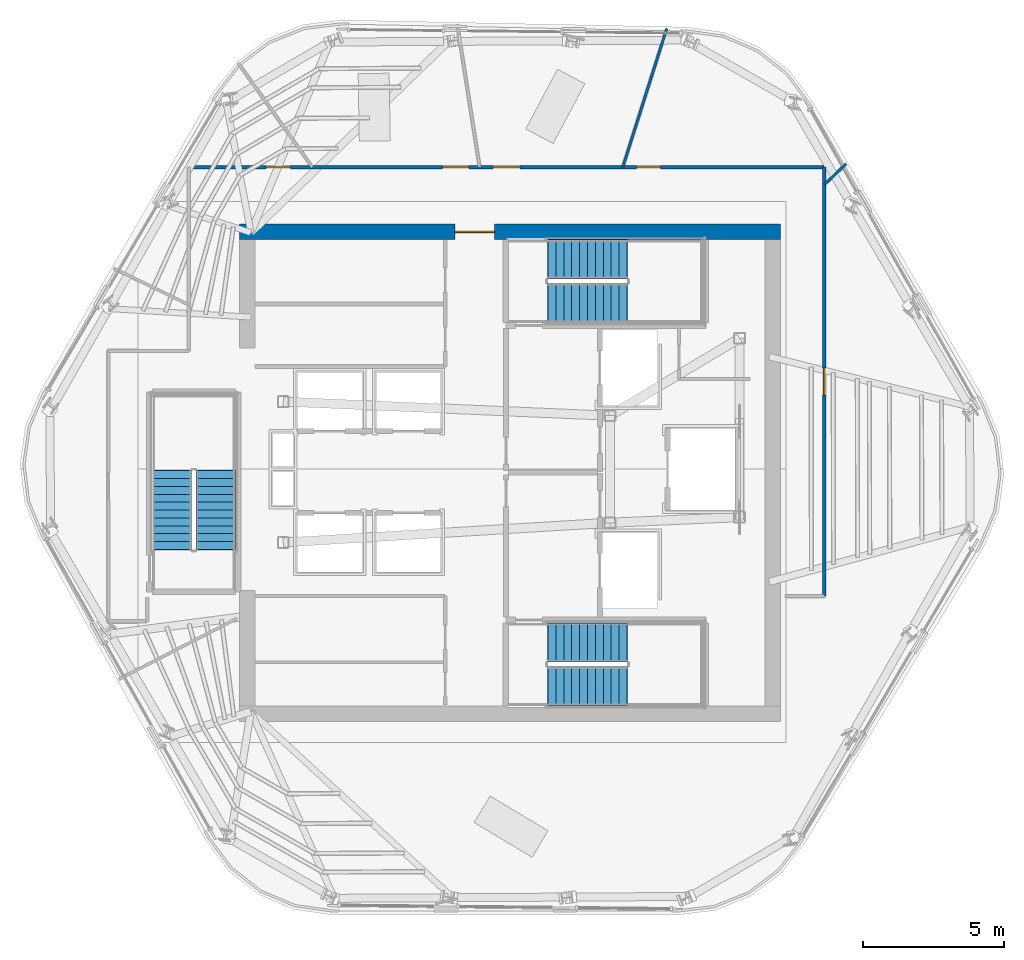
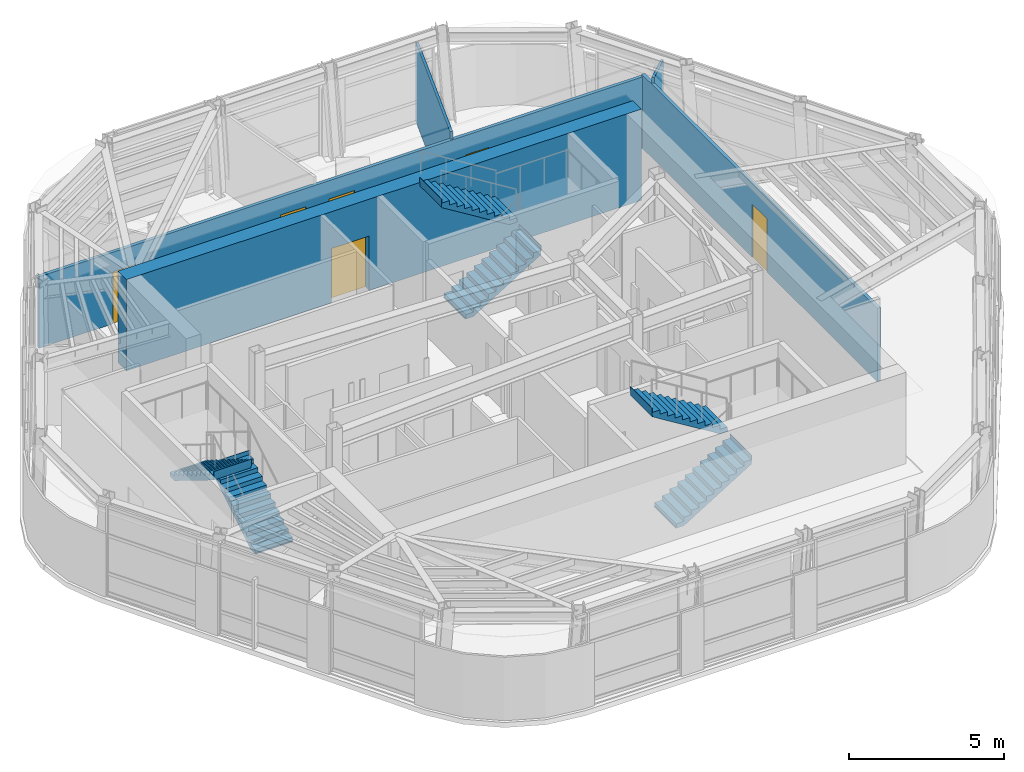
# One storey, part 8 of 13: 6 doors, 6 stair flights, 5 walls, 6 openings, 3 elements without a shape of their own.
"""IFC4 building model written with IfcOpenShell, lengths in metres."""

from ifc_helpers import new_model, si_unit, direction, frame, frame_2d, origin, place, context, subcontext, project, spatial, polyline, rectangle, outline, extrude, material, layer, layer_set, type_object, element, fill, aggregate, save


model = new_model("IFC4")

# Units and contexts
model_context = context("Model", 3, precision=1e-05, world=origin(), true_north=direction((0.0, 1.0)))
body_context = subcontext(model_context, "Body", "Model", "MODEL_VIEW")
ifc_project = project(units=[si_unit("LENGTHUNIT", "METRE"), si_unit("AREAUNIT", "SQUARE_METRE"), si_unit("VOLUMEUNIT", "CUBIC_METRE"), si_unit("PLANEANGLEUNIT", "RADIAN"), si_unit("MASSUNIT", "GRAM", prefix="KILO")], contexts=[model_context])

# Site, building, storey
site_placement = place(None, origin())
site = spatial("IfcSite", under=ifc_project, at=site_placement, CompositionType="ELEMENT")
building_placement = place(site_placement, origin())
building = spatial("IfcBuilding", under=site, at=building_placement, Name="Valkerne Bourse Tower", CompositionType="ELEMENT")
storey_placement = place(building_placement, frame((0.0, 0.0, 281.199951171875)))
storey = spatial("IfcBuildingStorey", under=building, at=storey_placement, Name="L71", CompositionType="ELEMENT", Elevation=281.199951171875)

# Wall, opening, door
ifc_material_1 = material(Name="Concrete C55/67", Category="concrete")
ifc_layer_1 = layer(ifc_material_1, 0.550048828125)
ifc_layer_set_1 = layer_set([ifc_layer_1], Name="Concrete C55/67")
wall_type_1 = type_object("IfcWallType", Name="W-CORE-550", PredefinedType="SHEAR", material=ifc_layer_set_1)
wall_1_placement = place(storey_placement, frame((37.199951171875, 35.425048828125, 0.0), z_axis=(0.0, 0.0, 1.0), x_axis=(1.0, 0.0, 0.0)))
wall_1 = element("IfcWall", 1, at=wall_1_placement, inside=storey, type_object=wall_type_1, Name="L71 Core Shear Wall NORTH", PredefinedType="SHEAR", context=body_context, shape_type="SweptSolid", body=[
    extrude(rectangle(XDim=19.199951171875, YDim=0.550048828125, at=frame_2d((9.60009765625, 0.0))), origin(), (0.0, 0.0, 1.0), 3.60009765625),
])
opening_1_placement = place(wall_1_placement, frame((7.64990234375, 0.0, 0.0)))
opening_1 = element("IfcOpeningElement", 2, at=opening_1_placement, cuts=wall_1, Name="Opening D-PL-1400", PredefinedType="OPENING", context=body_context, shape_type="SweptSolid", body=[
    extrude(rectangle(XDim=1.39990234375, YDim=2.14990234375, at=frame_2d((0.699951171875, 1.074951171875))), frame((0.0, 0.284912109375, 0.0), z_axis=(0.0, -1.0, 0.0), x_axis=(1.0, 0.0, 0.0)), (0.0, 0.0, 1.0), 0.570068359375),
])
ifc_material_2 = material(Name="Galvanised Painted Steel", Category="steel")
door_type_1 = type_object("IfcDoorType", Name="DR-PLT-1400", OperationType="DOUBLE_DOOR_SINGLE_SWING", PredefinedType="DOOR", material=ifc_material_2)
door_1_placement = place(opening_1_placement, origin())
door_1 = element("IfcDoor", 3, at=door_1_placement, inside=storey, type_object=door_type_1, Name="L71 North Passenger Lift Hall Fire Door", OperationType="DOUBLE_DOOR_SINGLE_SWING", OverallHeight=2.14990234375, OverallWidth=1.39990234375, PredefinedType="DOOR", context=body_context, shape_type="SweptSolid", body=[
    extrude(rectangle(XDim=1.39990234375, YDim=2.14990234375, at=frame_2d((0.699951171875, 1.074951171875))), frame((0.0, 0.02490234375, 0.0), z_axis=(0.0, -1.0, 0.0), x_axis=(1.0, 0.0, 0.0)), (0.0, 0.0, 1.0), 0.050048828125),
])
fill(opening_1, door_1)

# Wall, openings, doors
ifc_material_3 = material(Name="Gypsum Board Steel-Stud Partition", Category="steel")
ifc_layer_2 = layer(ifc_material_3, 0.117919921875)
ifc_layer_set_2 = layer_set([ifc_layer_2], Name="Gypsum Board Steel-Stud Partition")
wall_type_2 = type_object("IfcWallType", Name="W-CORR-140", PredefinedType="PARTITIONING", material=ifc_layer_set_2)
wall_2_placement = place(storey_placement, frame((35.39990234375, 37.719970703125, 0.0), z_axis=(0.0, 0.0, 1.0), x_axis=(1.0, 0.0, 0.0)))
wall_2 = element("IfcWall", 4, at=wall_2_placement, inside=storey, type_object=wall_type_2, Name="L71 Corridor Enclosure Wall", PredefinedType="PARTITIONING", context=body_context, shape_type="SweptSolid", body=[
    extrude(rectangle(XDim=22.550048828125, YDim=0.117919921875, at=frame_2d((11.27490234375, 0.0))), origin(), (0.0, 0.0, 1.0), 2.820556640625),
])
opening_2_placement = place(wall_2_placement, frame((2.7451171875, 0.0, 0.0)))
opening_2 = element("IfcOpeningElement", 5, at=opening_2_placement, cuts=wall_2, Name="Opening D-WC-900", PredefinedType="OPENING", context=body_context, shape_type="SweptSolid", body=[
    extrude(rectangle(XDim=0.860107421875, YDim=2.050048828125, at=frame_2d((0.43017578125, 1.02490234375))), frame((0.0, 0.06884765625, 0.0), z_axis=(0.0, -1.0, 0.0), x_axis=(1.0, 0.0, 0.0)), (0.0, 0.0, 1.0), 0.137939453125),
])
opening_3_placement = place(wall_2_placement, frame((15.885009765625, 0.0, 0.0)))
opening_3 = element("IfcOpeningElement", 6, at=opening_3_placement, cuts=wall_2, Name="Opening D-WC-900", PredefinedType="OPENING", context=body_context, shape_type="SweptSolid", body=[
    extrude(rectangle(XDim=0.860107421875, YDim=2.050048828125, at=frame_2d((0.43017578125, 1.02490234375))), frame((0.0, 0.06884765625, 0.0), z_axis=(0.0, -1.0, 0.0), x_axis=(1.0, 0.0, 0.0)), (0.0, 0.0, 1.0), 0.137939453125),
])
opening_4_placement = place(wall_2_placement, frame((10.800048828125, 0.0, 0.0)))
opening_4 = element("IfcOpeningElement", 7, at=opening_4_placement, cuts=wall_2, Name="Opening D-OF-950", PredefinedType="OPENING", context=body_context, shape_type="SweptSolid", body=[
    extrude(rectangle(XDim=0.949951171875, YDim=2.10009765625, at=frame_2d((0.47509765625, 1.050048828125))), frame((0.0, 0.06884765625, 0.0), z_axis=(0.0, -1.0, 0.0), x_axis=(1.0, 0.0, 0.0)), (0.0, 0.0, 1.0), 0.137939453125),
])
opening_5_placement = place(wall_2_placement, frame((9.0, 0.0, 0.0)))
opening_5 = element("IfcOpeningElement", 8, at=opening_5_placement, cuts=wall_2, Name="Opening D-OF-950", PredefinedType="OPENING", context=body_context, shape_type="SweptSolid", body=[
    extrude(rectangle(XDim=0.949951171875, YDim=2.10009765625, at=frame_2d((0.47509765625, 1.050048828125))), frame((0.0, 0.06884765625, 0.0), z_axis=(0.0, -1.0, 0.0), x_axis=(1.0, 0.0, 0.0)), (0.0, 0.0, 1.0), 0.137939453125),
])
ifc_material_4 = material(Name="Architectural White Oak Timber", Category="wood")
door_type_2 = type_object("IfcDoorType", Name="DR-OFF-950", OperationType="NOTDEFINED", PredefinedType="DOOR", material=ifc_material_4)
door_2_placement = place(opening_4_placement, origin())
door_2 = element("IfcDoor", 9, at=door_2_placement, inside=storey, type_object=door_type_2, Name="L71 L71 Trading Desk Office 3 Door", OperationType="SINGLE_SWING_RIGHT", OverallHeight=2.10009765625, OverallWidth=0.949951171875, PredefinedType="DOOR", context=body_context, shape_type="SweptSolid", body=[
    extrude(rectangle(XDim=0.949951171875, YDim=2.10009765625, at=frame_2d((0.47509765625, 1.050048828125))), frame((0.0, 0.02490234375, 0.0), z_axis=(0.0, -1.0, 0.0), x_axis=(1.0, 0.0, 0.0)), (0.0, 0.0, 1.0), 0.050048828125),
])
fill(opening_4, door_2)
door_3_placement = place(opening_5_placement, origin())
door_3 = element("IfcDoor", 10, at=door_3_placement, inside=storey, type_object=door_type_2, Name="L71 L71 Trading Desk Office 4 Door", OperationType="SINGLE_SWING_RIGHT", OverallHeight=2.10009765625, OverallWidth=0.949951171875, PredefinedType="DOOR", context=body_context, shape_type="SweptSolid", body=[
    extrude(rectangle(XDim=0.949951171875, YDim=2.10009765625, at=frame_2d((0.47509765625, 1.050048828125))), frame((0.0, 0.02490234375, 0.0), z_axis=(0.0, -1.0, 0.0), x_axis=(1.0, 0.0, 0.0)), (0.0, 0.0, 1.0), 0.050048828125),
])
fill(opening_5, door_3)
door_type_3 = type_object("IfcDoorType", Name="DR-WC-900", OperationType="NOTDEFINED", PredefinedType="DOOR", material=ifc_material_4)
door_4_placement = place(opening_2_placement, origin())
door_4 = element("IfcDoor", 11, at=door_4_placement, inside=storey, type_object=door_type_3, Name="L71 L71 Men Bathroom WC 1 Door", OperationType="SINGLE_SWING_LEFT", OverallHeight=2.050048828125, OverallWidth=0.860107421875, PredefinedType="DOOR", context=body_context, shape_type="SweptSolid", body=[
    extrude(rectangle(XDim=0.860107421875, YDim=2.050048828125, at=frame_2d((0.43017578125, 1.02490234375))), frame((0.0, 0.02490234375, 0.0), z_axis=(0.0, -1.0, 0.0), x_axis=(1.0, 0.0, 0.0)), (0.0, 0.0, 1.0), 0.050048828125),
])
fill(opening_2, door_4)
door_5_placement = place(opening_3_placement, origin())
door_5 = element("IfcDoor", 12, at=door_5_placement, inside=storey, type_object=door_type_3, Name="L71 L71 Women Restroom & Shower WC 2 Door", OperationType="SINGLE_SWING_RIGHT", OverallHeight=2.050048828125, OverallWidth=0.860107421875, PredefinedType="DOOR", context=body_context, shape_type="SweptSolid", body=[
    extrude(rectangle(XDim=0.860107421875, YDim=2.050048828125, at=frame_2d((0.43017578125, 1.02490234375))), frame((0.0, 0.02490234375, 0.0), z_axis=(0.0, -1.0, 0.0), x_axis=(1.0, 0.0, 0.0)), (0.0, 0.0, 1.0), 0.050048828125),
])
fill(opening_3, door_5)

# Wall, opening, door
wall_3_placement = place(storey_placement, frame((57.949951171875, 37.719970703125, 0.0), z_axis=(0.0, 0.0, 1.0), x_axis=(0.0, -1.0, 0.0)))
wall_3 = element("IfcWall", 13, at=wall_3_placement, inside=storey, type_object=wall_type_2, Name="L71 Corridor Enclosure Wall", PredefinedType="PARTITIONING", context=body_context, shape_type="SweptSolid", body=[
    extrude(rectangle(XDim=15.219970703125, YDim=0.117919921875, at=frame_2d((7.60986328125, 0.0))), origin(), (0.0, 0.0, 1.0), 2.896728515625),
])
opening_6_placement = place(wall_3_placement, frame((7.135009765625, 0.0, 0.0)))
opening_6 = element("IfcOpeningElement", 14, at=opening_6_placement, cuts=wall_3, Name="Opening D-OF-950", PredefinedType="OPENING", context=body_context, shape_type="SweptSolid", body=[
    extrude(rectangle(XDim=0.949951171875, YDim=2.10009765625, at=frame_2d((0.47509765625, 1.050048828125))), frame((0.0, 0.06884765625, 0.0), z_axis=(0.0, -1.0, 0.0), x_axis=(1.0, 0.0, 0.0)), (0.0, 0.0, 1.0), 0.137939453125),
])
door_6_placement = place(opening_6_placement, origin())
door_6 = element("IfcDoor", 15, at=door_6_placement, inside=storey, type_object=door_type_2, Name="L71 L71 Commodities Market Showroom 6 Door", OperationType="SINGLE_SWING_RIGHT", OverallHeight=2.10009765625, OverallWidth=0.949951171875, PredefinedType="DOOR", context=body_context, shape_type="SweptSolid", body=[
    extrude(rectangle(XDim=0.949951171875, YDim=2.10009765625, at=frame_2d((0.47509765625, 1.050048828125))), frame((0.0, 0.02490234375, 0.0), z_axis=(0.0, -1.0, 0.0), x_axis=(1.0, 0.0, 0.0)), (0.0, 0.0, 1.0), 0.050048828125),
])
fill(opening_6, door_6)

# Walls
ifc_layer_3 = layer(ifc_material_3, 0.092041015625)
ifc_layer_set_3 = layer_set([ifc_layer_3], Name="Gypsum Board Steel-Stud Partition")
wall_type_3 = type_object("IfcWallType", Name="W-PART-115", PredefinedType="PARTITIONING", material=ifc_layer_set_3)
wall_4_placement = place(storey_placement, frame((50.80224609375, 37.72509765625, 0.0), z_axis=(0.0, 0.0, 1.0), x_axis=(0.302390730743, 0.953184056707, 0.0)))
element("IfcWall", 16, at=wall_4_placement, inside=storey, type_object=wall_type_3, Name="L71 Suite Partition P01", PredefinedType="PARTITIONING", context=body_context, shape_type="SweptSolid", body=[
    extrude(rectangle(XDim=5.157470703125, YDim=0.092041015625, at=frame_2d((2.57861328125, 0.0))), origin(), (0.0, 0.0, 1.0), 3.114990234375),
])
wall_5_placement = place(storey_placement, frame((57.955078125, 37.0986328125, 0.0), z_axis=(0.0, 0.0, 1.0), x_axis=(0.722503638651, 0.691367118206, 0.0)))
element("IfcWall", 17, at=wall_5_placement, inside=storey, type_object=wall_type_3, Name="L71 Suite Partition P06", PredefinedType="PARTITIONING", context=body_context, shape_type="SweptSolid", body=[
    extrude(rectangle(XDim=1.07421875, YDim=0.092041015625, at=frame_2d((0.537109375, 0.0))), origin(), (0.0, 0.0, 1.0), 3.114990234375),
])

# Stair, stair flights
ifc_material_5 = material(Name="Concrete C40/50", Category="concrete")
stair_type = type_object("IfcStairType", Name="ST-CORE-1400", PredefinedType="HALF_TURN_STAIR", material=ifc_material_5)
stair_1_placement = place(storey_placement, origin())
stair_1 = element("IfcStair", 18, at=stair_1_placement, inside=storey, type_object=stair_type, Name="L71 ST-1", PredefinedType="HALF_TURN_STAIR")
stair_flight_type = type_object("IfcStairFlightType", Name="STF-CORE-1400", PredefinedType="STRAIGHT", material=ifc_material_5)
stair_flight_1_placement = place(storey_placement, frame((48.14990234375, 19.300048828125, 0.0), z_axis=(0.0, 0.0, 1.0), x_axis=(1.0, 0.0, 0.0)))
stair_flight_1 = element("IfcStairFlight", 19, at=stair_flight_1_placement, type_object=stair_flight_type, Name="ST-1 flight 1", NumberOfRisers=11, NumberOfTreads=10, PredefinedType="STRAIGHT", RiserHeight=0.172727273, TreadLength=0.28, context=body_context, shape_type="SweptSolid", body=[
    extrude(outline(polyline([(-0.02001953125, 0.0), (-0.02001953125, 0.044921875), (0.0, 0.044921875), (0.0, 0.172607421875), (0.280029296875, 0.172607421875), (0.280029296875, 0.345458984375), (0.56005859375, 0.345458984375), (0.56005859375, 0.51806640625), (0.840087890625, 0.51806640625), (0.840087890625, 0.69091796875), (1.1201171875, 0.69091796875), (1.1201171875, 0.863525390625), (1.39990234375, 0.863525390625), (1.39990234375, 1.036376953125), (1.679931640625, 1.036376953125), (1.679931640625, 1.208984375), (1.9599609375, 1.208984375), (1.9599609375, 1.3818359375), (2.239990234375, 1.3818359375), (2.239990234375, 1.554443359375), (2.52001953125, 1.554443359375), (2.52001953125, 1.727294921875), (2.800048828125, 1.727294921875), (2.800048828125, 1.89990234375), (2.820068359375, 1.89990234375), (2.820068359375, 1.780029296875), (2.800048828125, 1.551025390625), (0.285400390625, 0.0), (-0.02001953125, 0.0)])), frame((0.0, 0.699951171875, 0.0), z_axis=(0.0, -1.0, 0.0), x_axis=(1.0, 0.0, 0.0)), (0.0, 0.0, 1.0), 1.39990234375),
])
stair_flight_2_placement = place(storey_placement, frame((50.949951171875, 20.85009765625, 1.900146484375), z_axis=(0.0, 0.0, 1.0), x_axis=(-1.0, 0.0, 0.0)))
stair_flight_2 = element("IfcStairFlight", 20, at=stair_flight_2_placement, type_object=stair_flight_type, Name="ST-1 flight 2", NumberOfRisers=11, NumberOfTreads=10, PredefinedType="STRAIGHT", RiserHeight=0.172727273, TreadLength=0.28, context=body_context, shape_type="SweptSolid", body=[
    extrude(outline(polyline([(-0.02001953125, 0.0), (-0.02001953125, 0.044921875), (0.0, 0.044921875), (0.0, 0.172607421875), (0.280029296875, 0.172607421875), (0.280029296875, 0.345458984375), (0.56005859375, 0.345458984375), (0.56005859375, 0.51806640625), (0.840087890625, 0.51806640625), (0.840087890625, 0.69091796875), (1.1201171875, 0.69091796875), (1.1201171875, 0.863525390625), (1.39990234375, 0.863525390625), (1.39990234375, 1.036376953125), (1.679931640625, 1.036376953125), (1.679931640625, 1.208984375), (1.9599609375, 1.208984375), (1.9599609375, 1.3818359375), (2.239990234375, 1.3818359375), (2.239990234375, 1.554443359375), (2.52001953125, 1.554443359375), (2.52001953125, 1.727294921875), (2.800048828125, 1.727294921875), (2.800048828125, 1.89990234375), (2.820068359375, 1.89990234375), (2.820068359375, 1.780029296875), (2.800048828125, 1.551025390625), (0.285400390625, 0.0), (-0.02001953125, 0.0)])), frame((0.0, 0.699951171875, 0.0), z_axis=(0.0, -1.0, 0.0), x_axis=(1.0, 0.0, 0.0)), (0.0, 0.0, 1.0), 1.39990234375),
])
aggregate(stair_1, [stair_flight_1, stair_flight_2])

stair_2_placement = place(storey_placement, origin())
stair_2 = element("IfcStair", 21, at=stair_2_placement, inside=storey, type_object=stair_type, Name="L71 ST-2", PredefinedType="HALF_TURN_STAIR")
stair_flight_3_placement = place(storey_placement, frame((48.14990234375, 32.89990234375, 0.0), z_axis=(0.0, 0.0, 1.0), x_axis=(1.0, 0.0, 0.0)))
stair_flight_3 = element("IfcStairFlight", 22, at=stair_flight_3_placement, type_object=stair_flight_type, Name="ST-2 flight 1", NumberOfRisers=11, NumberOfTreads=10, PredefinedType="STRAIGHT", RiserHeight=0.172727273, TreadLength=0.28, context=body_context, shape_type="SweptSolid", body=[
    extrude(outline(polyline([(-0.02001953125, 0.0), (-0.02001953125, 0.044921875), (0.0, 0.044921875), (0.0, 0.172607421875), (0.280029296875, 0.172607421875), (0.280029296875, 0.345458984375), (0.56005859375, 0.345458984375), (0.56005859375, 0.51806640625), (0.840087890625, 0.51806640625), (0.840087890625, 0.69091796875), (1.1201171875, 0.69091796875), (1.1201171875, 0.863525390625), (1.39990234375, 0.863525390625), (1.39990234375, 1.036376953125), (1.679931640625, 1.036376953125), (1.679931640625, 1.208984375), (1.9599609375, 1.208984375), (1.9599609375, 1.3818359375), (2.239990234375, 1.3818359375), (2.239990234375, 1.554443359375), (2.52001953125, 1.554443359375), (2.52001953125, 1.727294921875), (2.800048828125, 1.727294921875), (2.800048828125, 1.89990234375), (2.820068359375, 1.89990234375), (2.820068359375, 1.780029296875), (2.800048828125, 1.551025390625), (0.285400390625, 0.0), (-0.02001953125, 0.0)])), frame((0.0, 0.699951171875, 0.0), z_axis=(0.0, -1.0, 0.0), x_axis=(1.0, 0.0, 0.0)), (0.0, 0.0, 1.0), 1.39990234375),
])
stair_flight_4_placement = place(storey_placement, frame((50.949951171875, 34.449951171875, 1.900146484375), z_axis=(0.0, 0.0, 1.0), x_axis=(-1.0, 0.0, 0.0)))
stair_flight_4 = element("IfcStairFlight", 23, at=stair_flight_4_placement, type_object=stair_flight_type, Name="ST-2 flight 2", NumberOfRisers=11, NumberOfTreads=10, PredefinedType="STRAIGHT", RiserHeight=0.172727273, TreadLength=0.28, context=body_context, shape_type="SweptSolid", body=[
    extrude(outline(polyline([(-0.02001953125, 0.0), (-0.02001953125, 0.044921875), (0.0, 0.044921875), (0.0, 0.172607421875), (0.280029296875, 0.172607421875), (0.280029296875, 0.345458984375), (0.56005859375, 0.345458984375), (0.56005859375, 0.51806640625), (0.840087890625, 0.51806640625), (0.840087890625, 0.69091796875), (1.1201171875, 0.69091796875), (1.1201171875, 0.863525390625), (1.39990234375, 0.863525390625), (1.39990234375, 1.036376953125), (1.679931640625, 1.036376953125), (1.679931640625, 1.208984375), (1.9599609375, 1.208984375), (1.9599609375, 1.3818359375), (2.239990234375, 1.3818359375), (2.239990234375, 1.554443359375), (2.52001953125, 1.554443359375), (2.52001953125, 1.727294921875), (2.800048828125, 1.727294921875), (2.800048828125, 1.89990234375), (2.820068359375, 1.89990234375), (2.820068359375, 1.780029296875), (2.800048828125, 1.551025390625), (0.285400390625, 0.0), (-0.02001953125, 0.0)])), frame((0.0, 0.699951171875, 0.0), z_axis=(0.0, -1.0, 0.0), x_axis=(1.0, 0.0, 0.0)), (0.0, 0.0, 1.0), 1.39990234375),
])
aggregate(stair_2, [stair_flight_3, stair_flight_4])

stair_3_placement = place(storey_placement, origin())
stair_3 = element("IfcStair", 24, at=stair_3_placement, inside=storey, type_object=stair_type, Name="L71 ST-3", PredefinedType="HALF_TURN_STAIR")
stair_flight_5_placement = place(storey_placement, frame((36.35009765625, 24.14990234375, 0.0), z_axis=(0.0, 0.0, 1.0), x_axis=(0.0, 1.0, 0.0)))
stair_flight_5 = element("IfcStairFlight", 25, at=stair_flight_5_placement, type_object=stair_flight_type, Name="ST-3 flight 1", NumberOfRisers=11, NumberOfTreads=10, PredefinedType="STRAIGHT", RiserHeight=0.172727273, TreadLength=0.28, context=body_context, shape_type="SweptSolid", body=[
    extrude(outline(polyline([(-0.02001953125, 0.0), (-0.02001953125, 0.044921875), (0.0, 0.044921875), (0.0, 0.172607421875), (0.280029296875, 0.172607421875), (0.280029296875, 0.345458984375), (0.56005859375, 0.345458984375), (0.56005859375, 0.51806640625), (0.840087890625, 0.51806640625), (0.840087890625, 0.69091796875), (1.1201171875, 0.69091796875), (1.1201171875, 0.863525390625), (1.39990234375, 0.863525390625), (1.39990234375, 1.036376953125), (1.679931640625, 1.036376953125), (1.679931640625, 1.208984375), (1.9599609375, 1.208984375), (1.9599609375, 1.3818359375), (2.239990234375, 1.3818359375), (2.239990234375, 1.554443359375), (2.52001953125, 1.554443359375), (2.52001953125, 1.727294921875), (2.800048828125, 1.727294921875), (2.800048828125, 1.89990234375), (2.820068359375, 1.89990234375), (2.820068359375, 1.780029296875), (2.800048828125, 1.551025390625), (0.285400390625, 0.0), (-0.02001953125, 0.0)])), frame((0.0, 0.699951171875, 0.0), z_axis=(0.0, -1.0, 0.0), x_axis=(1.0, 0.0, 0.0)), (0.0, 0.0, 1.0), 1.39990234375),
])
stair_flight_6_placement = place(storey_placement, frame((34.800048828125, 26.949951171875, 1.900146484375), z_axis=(0.0, 0.0, 1.0), x_axis=(0.0, -1.0, 0.0)))
stair_flight_6 = element("IfcStairFlight", 26, at=stair_flight_6_placement, type_object=stair_flight_type, Name="ST-3 flight 2", NumberOfRisers=11, NumberOfTreads=10, PredefinedType="STRAIGHT", RiserHeight=0.172727273, TreadLength=0.28, context=body_context, shape_type="SweptSolid", body=[
    extrude(outline(polyline([(-0.02001953125, 0.0), (-0.02001953125, 0.044921875), (0.0, 0.044921875), (0.0, 0.172607421875), (0.280029296875, 0.172607421875), (0.280029296875, 0.345458984375), (0.56005859375, 0.345458984375), (0.56005859375, 0.51806640625), (0.840087890625, 0.51806640625), (0.840087890625, 0.69091796875), (1.1201171875, 0.69091796875), (1.1201171875, 0.863525390625), (1.39990234375, 0.863525390625), (1.39990234375, 1.036376953125), (1.679931640625, 1.036376953125), (1.679931640625, 1.208984375), (1.9599609375, 1.208984375), (1.9599609375, 1.3818359375), (2.239990234375, 1.3818359375), (2.239990234375, 1.554443359375), (2.52001953125, 1.554443359375), (2.52001953125, 1.727294921875), (2.800048828125, 1.727294921875), (2.800048828125, 1.89990234375), (2.820068359375, 1.89990234375), (2.820068359375, 1.780029296875), (2.800048828125, 1.551025390625), (0.285400390625, 0.0), (-0.02001953125, 0.0)])), frame((0.0, 0.699951171875, 0.0), z_axis=(0.0, -1.0, 0.0), x_axis=(1.0, 0.0, 0.0)), (0.0, 0.0, 1.0), 1.39990234375),
])
aggregate(stair_3, [stair_flight_5, stair_flight_6])

save(model, "model.ifc")
